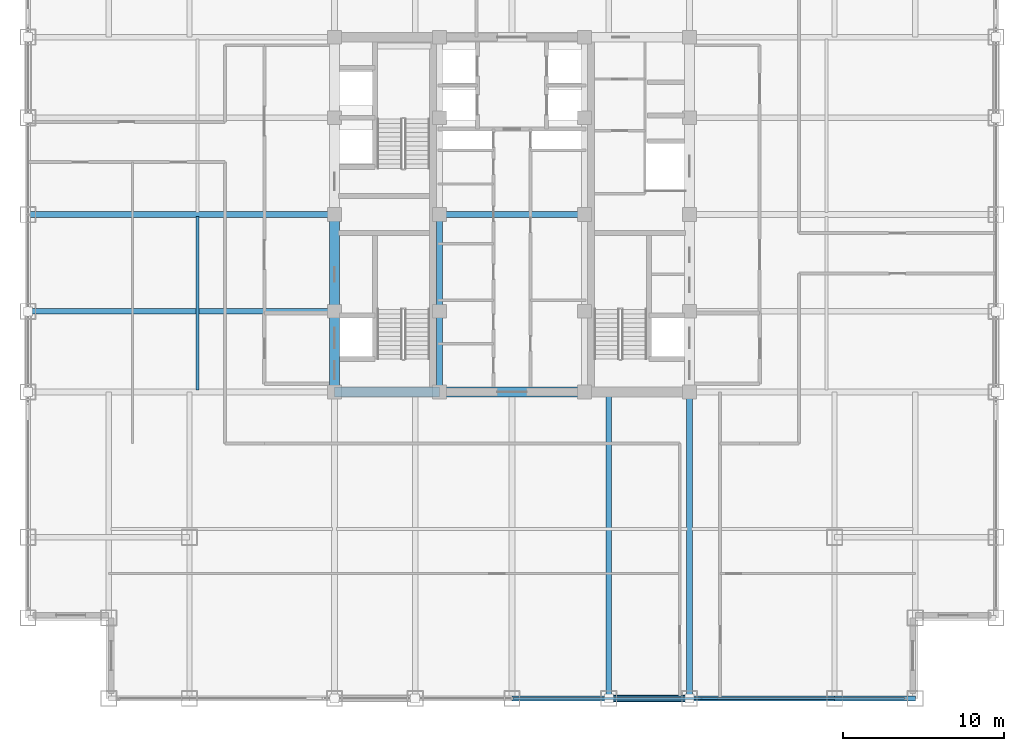
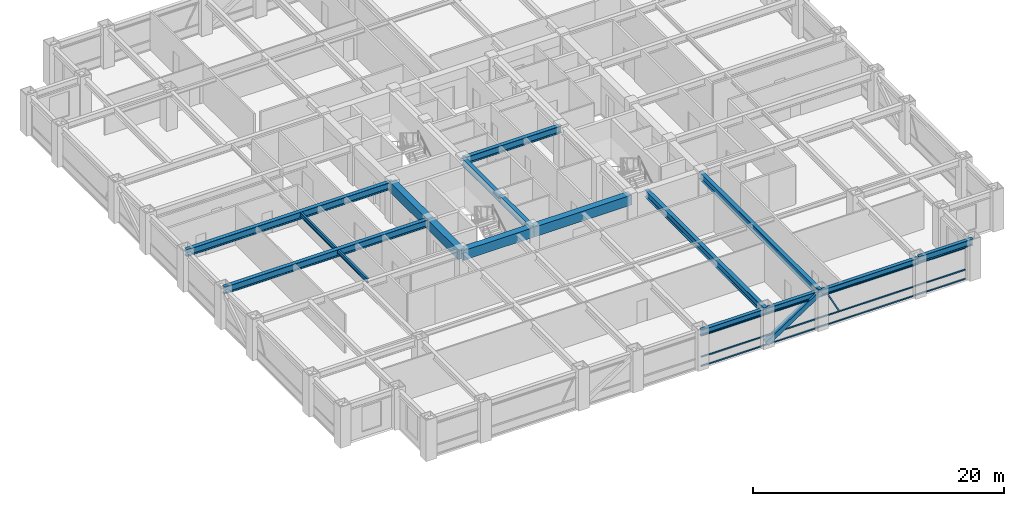
# One storey, part 7 of 24: 16 beams, 5 members, 1 element without a shape of its own.
"""IFC4 building model written with IfcOpenShell, lengths in metres."""

from ifc_helpers import new_model, si_unit, direction, frame, origin, origin_2d, place, context, subcontext, project, spatial, rectangle, hollow_rectangle, i_section, extrude, source, transform, mapped, material, material_profile, profile_set, type_object, element, aggregate, save


model = new_model("IFC4")

# Units and contexts
model_context = context("Model", 3, precision=1e-05, world=origin(), true_north=direction((0.0, 1.0)))
body_context = subcontext(model_context, "Body", "Model", "MODEL_VIEW")
ifc_project = project(units=[si_unit("LENGTHUNIT", "METRE"), si_unit("AREAUNIT", "SQUARE_METRE"), si_unit("VOLUMEUNIT", "CUBIC_METRE"), si_unit("PLANEANGLEUNIT", "RADIAN"), si_unit("MASSUNIT", "GRAM", prefix="KILO")], contexts=[model_context])

# Site, building, storey
site_placement = place(None, origin())
site = spatial("IfcSite", under=ifc_project, at=site_placement, CompositionType="ELEMENT")
building_placement = place(site_placement, origin())
building = spatial("IfcBuilding", under=site, at=building_placement, Name="Khorayat Bourse Tower", CompositionType="ELEMENT")
storey_placement = place(building_placement, frame((0.0, 0.0, 259.10009765625)))
storey = spatial("IfcBuildingStorey", under=building, at=storey_placement, Name="L61", CompositionType="ELEMENT", Elevation=259.10009765625)

# Beams
ifc_material_1 = material(Name="Steel ASTM A992 Grade 50", Category="steel")
ifc_material_profile_1 = material_profile(ifc_material_1, i_section(OverallWidth=0.35498046875, OverallDepth=0.695068359375, WebThickness=0.015380859375, FlangeThickness=0.02490234375, FilletRadius=0.01806640625, at=origin_2d()), Name="W690X217")
ifc_profile_set_1 = profile_set([ifc_material_profile_1], Name="Steel ASTM A992 Grade 50")
beam_type_1 = type_object("IfcBeamType", Name="BM-GIRD-690", PredefinedType="BEAM", material=ifc_profile_set_1)
shared_shape_1 = source(origin(), body_context, "Body", "SweptSolid", [
    extrude(i_section(OverallWidth=0.35498046875, OverallDepth=0.695068359375, WebThickness=0.015380859375, FlangeThickness=0.02490234375, FilletRadius=0.01806640625, at=origin_2d()), origin(), (0.0, 0.0, 1.0), 5.0),
])
beam_1_placement = place(storey_placement, frame((-4.5, -11.0, 3.432373046875), z_axis=(0.0, 1.0, 0.0), x_axis=(-1.0, 0.0, 0.0)))
element("IfcBeam", 1, at=beam_1_placement, inside=storey, type_object=beam_type_1, Name="L61 BM-GIRD-690 BM-L61-CRX-05", PredefinedType="BEAM", context=body_context, shape_type="MappedRepresentation", body=[
    mapped(shared_shape_1, transform((0.0, 0.0, 0.0), scale=1.0)),
])
shared_shape_2 = source(origin(), body_context, "Body", "SweptSolid", [
    extrude(i_section(OverallWidth=0.35498046875, OverallDepth=0.695068359375, WebThickness=0.015380859375, FlangeThickness=0.02490234375, FilletRadius=0.01806640625, at=origin_2d()), origin(), (0.0, 0.0, 1.0), 6.0),
])
beam_2_placement = place(storey_placement, frame((-4.5, -6.0, 3.432373046875), z_axis=(0.0, 1.0, 0.0), x_axis=(-1.0, 0.0, 0.0)))
element("IfcBeam", 2, at=beam_2_placement, inside=storey, type_object=beam_type_1, Name="L61 BM-GIRD-690 BM-L61-CRX-06", PredefinedType="BEAM", context=body_context, shape_type="MappedRepresentation", body=[
    mapped(shared_shape_2, transform((0.0, 0.0, 0.0), scale=1.0)),
])
shared_shape_3 = source(origin(), body_context, "Body", "SweptSolid", [
    extrude(i_section(OverallWidth=0.35498046875, OverallDepth=0.695068359375, WebThickness=0.015380859375, FlangeThickness=0.02490234375, FilletRadius=0.01806640625, at=origin_2d()), origin(), (0.0, 0.0, 1.0), 9.0),
])
beam_3_placement = place(storey_placement, frame((-4.5, 0.0, 3.432373046875), z_axis=(1.0, 0.0, 0.0), x_axis=(0.0, 1.0, 0.0)))
element("IfcBeam", 3, at=beam_3_placement, inside=storey, type_object=beam_type_1, Name="L61 BM-GIRD-690 BM-L61-CRY-23", PredefinedType="BEAM", context=body_context, shape_type="MappedRepresentation", body=[
    mapped(shared_shape_3, transform((0.0, 0.0, 0.0), scale=1.0)),
])
ifc_material_profile_2 = material_profile(ifc_material_1, i_section(OverallWidth=0.180908203125, OverallDepth=0.4169921875, WebThickness=0.010986328125, FlangeThickness=0.018310546875, FilletRadius=0.011962890625, at=origin_2d()), Name="W410X85")
ifc_profile_set_2 = profile_set([ifc_material_profile_2], Name="Steel ASTM A992 Grade 50")
beam_type_2 = type_object("IfcBeamType", Name="BM-JOIST-410", PredefinedType="JOIST", material=ifc_profile_set_2)
shared_shape_4 = source(origin(), body_context, "Body", "SweptSolid", [
    extrude(i_section(OverallWidth=0.180908203125, OverallDepth=0.4169921875, WebThickness=0.010986328125, FlangeThickness=0.018310546875, FilletRadius=0.011962890625, at=origin_2d()), origin(), (0.0, 0.0, 1.0), 10.740234375),
])
beam_4_placement = place(storey_placement, frame((-19.5, -10.8701171875, 3.5712890625), z_axis=(0.0, 1.0, 0.0), x_axis=(-1.0, 0.0, 0.0)))
element("IfcBeam", 4, at=beam_4_placement, inside=storey, type_object=beam_type_2, Name="L61 BM-JOIST-410 BM-L61-JSTY-102", PredefinedType="JOIST", context=body_context, shape_type="MappedRepresentation", body=[
    mapped(shared_shape_4, transform((0.0, 0.0, 0.0), scale=1.0)),
])
ifc_material_profile_3 = material_profile(ifc_material_1, i_section(OverallWidth=0.324951171875, OverallDepth=0.615966796875, WebThickness=0.013916015625, FlangeThickness=0.021484375, FilletRadius=0.01611328125, at=origin_2d()), Name="W610X174")
ifc_profile_set_3 = profile_set([ifc_material_profile_3], Name="Steel ASTM A992 Grade 50")
beam_type_3 = type_object("IfcBeamType", Name="BM-SPAN-610", PredefinedType="SPANDREL", material=ifc_profile_set_3)
shared_shape_5 = source(origin(), body_context, "Body", "SweptSolid", [
    extrude(i_section(OverallWidth=0.324951171875, OverallDepth=0.615966796875, WebThickness=0.013916015625, FlangeThickness=0.021484375, FilletRadius=0.01611328125, at=origin_2d()), origin(), (0.0, 0.0, 1.0), 9.0),
])
beam_5_placement = place(storey_placement, frame((11.0, -30.0, 3.351806640625), z_axis=(1.0, 0.0, 0.0), x_axis=(0.0, 1.0, 0.0)))
element("IfcBeam", 5, at=beam_5_placement, inside=storey, type_object=beam_type_3, Name="L61 BM-SPAN-610 BM-L61-SPN-030", PredefinedType="SPANDREL", context=body_context, shape_type="MappedRepresentation", body=[
    mapped(shared_shape_5, transform((0.0, 0.0, 0.0), scale=1.0)),
])
shared_shape_6 = source(origin(), body_context, "Body", "SweptSolid", [
    extrude(i_section(OverallWidth=0.324951171875, OverallDepth=0.615966796875, WebThickness=0.013916015625, FlangeThickness=0.021484375, FilletRadius=0.01611328125, at=origin_2d()), origin(), (0.0, 0.0, 1.0), 5.0),
])
for number, where, z_axis, x_axis, name in (
    (6, (6.0, -30.0, 3.351806640625), (1.0, 0.0, 0.0), (0.0, 1.0, 0.0), "L61 BM-SPAN-610 BM-L61-SPN-029"),
    (7, (20.0, -30.0, 3.471923828125), (1.0, 0.0, 0.0), (0.0, 1.0, 0.0), "L61 BM-SPAN-610 BM-L61-SPN-031"),
):
    element("IfcBeam", number, at=place(storey_placement, frame(where, z_axis=z_axis, x_axis=x_axis)), inside=storey, type_object=beam_type_3, Name=name, PredefinedType="SPANDREL", context=body_context, shape_type="MappedRepresentation", body=[
        mapped(shared_shape_6, transform((0.0, 0.0, 0.0), scale=1.0)),
    ])
shared_shape_7 = source(origin(), body_context, "Body", "SweptSolid", [
    extrude(i_section(OverallWidth=0.324951171875, OverallDepth=0.615966796875, WebThickness=0.013916015625, FlangeThickness=0.021484375, FilletRadius=0.01611328125, at=origin_2d()), origin(), (0.0, 0.0, 1.0), 6.0),
])
beam_6_placement = place(storey_placement, frame((0.0, -30.0, 3.351806640625), z_axis=(1.0, 0.0, 0.0), x_axis=(0.0, 1.0, 0.0)))
element("IfcBeam", 8, at=beam_6_placement, inside=storey, type_object=beam_type_3, Name="L61 BM-SPAN-610 BM-L61-SPN-028", PredefinedType="SPANDREL", context=body_context, shape_type="MappedRepresentation", body=[
    mapped(shared_shape_7, transform((0.0, 0.0, 0.0), scale=1.0)),
])
ifc_material_2 = material(Name="Concrete C60/75", Category="concrete")
ifc_material_profile_4 = material_profile(ifc_material_2, rectangle(XDim=0.60009765625, YDim=0.949951171875, at=origin_2d()), Name="RC 600x950")
ifc_profile_set_4 = profile_set([ifc_material_profile_4], Name="Concrete C60/75")
beam_type_4 = type_object("IfcBeamType", Name="BM-COUP-950", PredefinedType="BEAM", material=ifc_profile_set_4)
shared_shape_8 = source(origin(), body_context, "Body", "SweptSolid", [
    extrude(rectangle(XDim=0.60009765625, YDim=0.949951171875, at=origin_2d()), origin(), (0.0, 0.0, 1.0), 5.0),
])
beam_7_placement = place(storey_placement, frame((-11.0, -11.0, 3.304931640625), z_axis=(0.0, 1.0, 0.0), x_axis=(-1.0, 0.0, 0.0)))
element("IfcBeam", 9, at=beam_7_placement, inside=storey, type_object=beam_type_4, Name="L61 BM-COUP-950 BM-L61-CRX-01", PredefinedType="BEAM", context=body_context, shape_type="MappedRepresentation", body=[
    mapped(shared_shape_8, transform((0.0, 0.0, 0.0), scale=1.0)),
])
shared_shape_9 = source(origin(), body_context, "Body", "SweptSolid", [
    extrude(rectangle(XDim=0.60009765625, YDim=0.949951171875, at=origin_2d()), origin(), (0.0, 0.0, 1.0), 6.0),
])
beam_8_placement = place(storey_placement, frame((-11.0, -6.0, 3.304931640625), z_axis=(0.0, 1.0, 0.0), x_axis=(-1.0, 0.0, 0.0)))
element("IfcBeam", 10, at=beam_8_placement, inside=storey, type_object=beam_type_4, Name="L61 BM-COUP-950 BM-L61-CRX-02", PredefinedType="BEAM", context=body_context, shape_type="MappedRepresentation", body=[
    mapped(shared_shape_9, transform((0.0, 0.0, 0.0), scale=1.0)),
])
shared_shape_10 = source(origin(), body_context, "Body", "SweptSolid", [
    extrude(rectangle(XDim=0.60009765625, YDim=0.949951171875, at=origin_2d()), origin(), (0.0, 0.0, 1.0), 6.5),
])
beam_9_placement = place(storey_placement, frame((-11.0, -11.0, 3.304931640625), z_axis=(1.0, 0.0, 0.0), x_axis=(0.0, 1.0, 0.0)))
element("IfcBeam", 11, at=beam_9_placement, inside=storey, type_object=beam_type_4, Name="L61 BM-COUP-950 BM-L61-CRY-17", PredefinedType="BEAM", context=body_context, shape_type="MappedRepresentation", body=[
    mapped(shared_shape_10, transform((0.0, 0.0, 0.0), scale=1.0)),
])
shared_shape_11 = source(origin(), body_context, "Body", "SweptSolid", [
    extrude(rectangle(XDim=0.60009765625, YDim=0.949951171875, at=origin_2d()), origin(), (0.0, 0.0, 1.0), 9.0),
])
beam_10_placement = place(storey_placement, frame((-4.5, -11.0, 3.304931640625), z_axis=(1.0, 0.0, 0.0), x_axis=(0.0, 1.0, 0.0)))
element("IfcBeam", 12, at=beam_10_placement, inside=storey, type_object=beam_type_4, Name="L61 BM-COUP-950 BM-L61-CRY-18", PredefinedType="BEAM", context=body_context, shape_type="MappedRepresentation", body=[
    mapped(shared_shape_11, transform((0.0, 0.0, 0.0), scale=1.0)),
])
shared_shape_12 = source(origin(), body_context, "Body", "SweptSolid", [
    extrude(i_section(OverallWidth=0.35498046875, OverallDepth=0.695068359375, WebThickness=0.015380859375, FlangeThickness=0.02490234375, FilletRadius=0.01806640625, at=origin_2d()), origin(), (0.0, 0.0, 1.0), 19.0),
])
for number, where, z_axis, x_axis, name in (
    (13, (6.0, -30.0, 3.3125), (0.0, 1.0, 0.0), (-1.0, 0.0, 0.0), "L61 BM-GIRD-690 BM-L61-RADY-071"),
    (14, (11.0, -30.0, 3.3125), (0.0, 1.0, 0.0), (-1.0, 0.0, 0.0), "L61 BM-GIRD-690 BM-L61-RADY-073"),
    (15, (-30.0, -6.0, 3.432373046875), (1.0, 0.0, 0.0), (0.0, 1.0, 0.0), "L61 BM-GIRD-690 BM-L61-RADX-077"),
    (16, (-30.0, 0.0, 3.432373046875), (1.0, 0.0, 0.0), (0.0, 1.0, 0.0), "L61 BM-GIRD-690 BM-L61-RADX-079"),
):
    element("IfcBeam", number, at=place(storey_placement, frame(where, z_axis=z_axis, x_axis=x_axis)), inside=storey, type_object=beam_type_1, Name=name, PredefinedType="BEAM", context=body_context, shape_type="MappedRepresentation", body=[
        mapped(shared_shape_12, transform((0.0, 0.0, 0.0), scale=1.0)),
    ])

# Member
ifc_material_3 = material(Name="Steel EN 10025-4 S460M", Category="steel")
ifc_material_profile_5 = material_profile(ifc_material_3, hollow_rectangle(XDim=0.449951171875, YDim=0.449951171875, WallThickness=0.02490234375, at=origin_2d()), Name="HSS 450x450x25")
ifc_profile_set_5 = profile_set([ifc_material_profile_5], Name="Steel EN 10025-4 S460M")
member_type_1 = type_object("IfcMemberType", Name="MBR-TUBE-450", PredefinedType="BRACE", material=ifc_profile_set_5)
shared_shape_13 = source(origin(), body_context, "Body", "SweptSolid", [
    extrude(hollow_rectangle(XDim=0.449951171875, YDim=0.449951171875, WallThickness=0.02490234375, at=origin_2d()), origin(), (0.0, 0.0, 1.0), 5.979736328125),
])
member_1_placement = place(storey_placement, frame((6.0, -30.0, 0.25), z_axis=(0.836160261256, 0.0, 0.548485202623), x_axis=(0.0, 1.0, 0.0)))
element("IfcMember", 17, at=member_1_placement, inside=storey, type_object=member_type_1, Name="L61 Perimeter Tube Brace 02", PredefinedType="BRACE", context=body_context, shape_type="MappedRepresentation", body=[
    mapped(shared_shape_13, transform((0.0, 0.0, 0.0), scale=1.0)),
])

# Curtain wall, members
ifc_material_4 = material(Name="Aluminium EN AW-6063 T6", Category="aluminium")
curtain_wall_type = type_object("IfcCurtainWallType", Name="CW-SYS-03", PredefinedType="NOTDEFINED", material=ifc_material_4)
curtain_wall_placement = place(storey_placement, origin())
curtain_wall = element("IfcCurtainWall", 18, at=curtain_wall_placement, inside=storey, type_object=curtain_wall_type, Name="L61 Curtain Wall CW-L61-S1", PredefinedType="NOTDEFINED")
ifc_material_profile_6 = material_profile(ifc_material_4, hollow_rectangle(XDim=0.1201171875, YDim=0.1201171875, WallThickness=0.0048828125, at=origin_2d()), Name="ALU 120x120x5")
ifc_profile_set_6 = profile_set([ifc_material_profile_6], Name="Aluminium EN AW-6063 T6")
member_type_2 = type_object("IfcMemberType", Name="CWM-DIAG-120", PredefinedType="MULLION", material=ifc_profile_set_6)
shared_shape_14 = source(origin(), body_context, "Body", "SweptSolid", [
    extrude(hollow_rectangle(XDim=0.1201171875, YDim=0.1201171875, WallThickness=0.0048828125, at=origin_2d()), origin(), (0.0, 0.0, 1.0), 2.079345703125),
])
member_2_placement = place(storey_placement, frame((12.67919921875, -30.0, 1.08984375), z_axis=(-0.465760949701, 0.0, 0.884910581773), x_axis=(0.0, -1.0, 0.0)))
member_2 = element("IfcMember", 19, at=member_2_placement, type_object=member_type_2, Name="CW-L61-S1 Faceted Diagonal Mullion 2", PredefinedType="MULLION", context=body_context, shape_type="MappedRepresentation", body=[
    mapped(shared_shape_14, transform((0.0, 0.0, 0.0), scale=1.0)),
])
ifc_material_profile_7 = material_profile(ifc_material_4, hollow_rectangle(XDim=0.1201171875, YDim=0.1201171875, WallThickness=0.0048828125, at=origin_2d()), Name="ALU 120x120x5")
ifc_profile_set_7 = profile_set([ifc_material_profile_7], Name="Aluminium EN AW-6063 T6")
member_type_3 = type_object("IfcMemberType", Name="CWT-HORZ-120", PredefinedType="USERDEFINED", material=ifc_profile_set_7)
shared_shape_15 = source(origin(), body_context, "Body", "SweptSolid", [
    extrude(hollow_rectangle(XDim=0.1201171875, YDim=0.1201171875, WallThickness=0.0048828125, at=origin_2d()), origin(), (0.0, 0.0, 1.0), 24.27001953125),
])
member_3_placement = place(storey_placement, frame((0.06005859375, -30.0, 0.059814453125), z_axis=(1.0, 0.0, 0.0), x_axis=(0.0, 1.0, 0.0)))
member_3 = element("IfcMember", 20, at=member_3_placement, type_object=member_type_3, Name="CW-L61-S1 Horizontal Transom 2-1", ObjectType="TRANSOM", PredefinedType="USERDEFINED", context=body_context, shape_type="MappedRepresentation", body=[
    mapped(shared_shape_15, transform((0.0, 0.0, 0.0), scale=1.0)),
])
member_4_placement = place(storey_placement, frame((0.06005859375, -30.0, 0.949951171875), z_axis=(1.0, 0.0, 0.0), x_axis=(0.0, 1.0, 0.0)))
member_4 = element("IfcMember", 21, at=member_4_placement, type_object=member_type_3, Name="CW-L61-S1 Horizontal Transom 2-2", ObjectType="TRANSOM", PredefinedType="USERDEFINED", context=body_context, shape_type="MappedRepresentation", body=[
    mapped(shared_shape_15, transform((0.0, 0.0, 0.0), scale=1.0)),
])
member_5_placement = place(storey_placement, frame((0.06005859375, -30.0, 3.06982421875), z_axis=(1.0, 0.0, 0.0), x_axis=(0.0, 1.0, 0.0)))
member_5 = element("IfcMember", 22, at=member_5_placement, type_object=member_type_3, Name="CW-L61-S1 Horizontal Transom 2-3", ObjectType="TRANSOM", PredefinedType="USERDEFINED", context=body_context, shape_type="MappedRepresentation", body=[
    mapped(shared_shape_15, transform((0.0, 0.0, 0.0), scale=1.0)),
])
aggregate(curtain_wall, [member_3, member_4, member_5, member_2])

save(model, "model.ifc")
